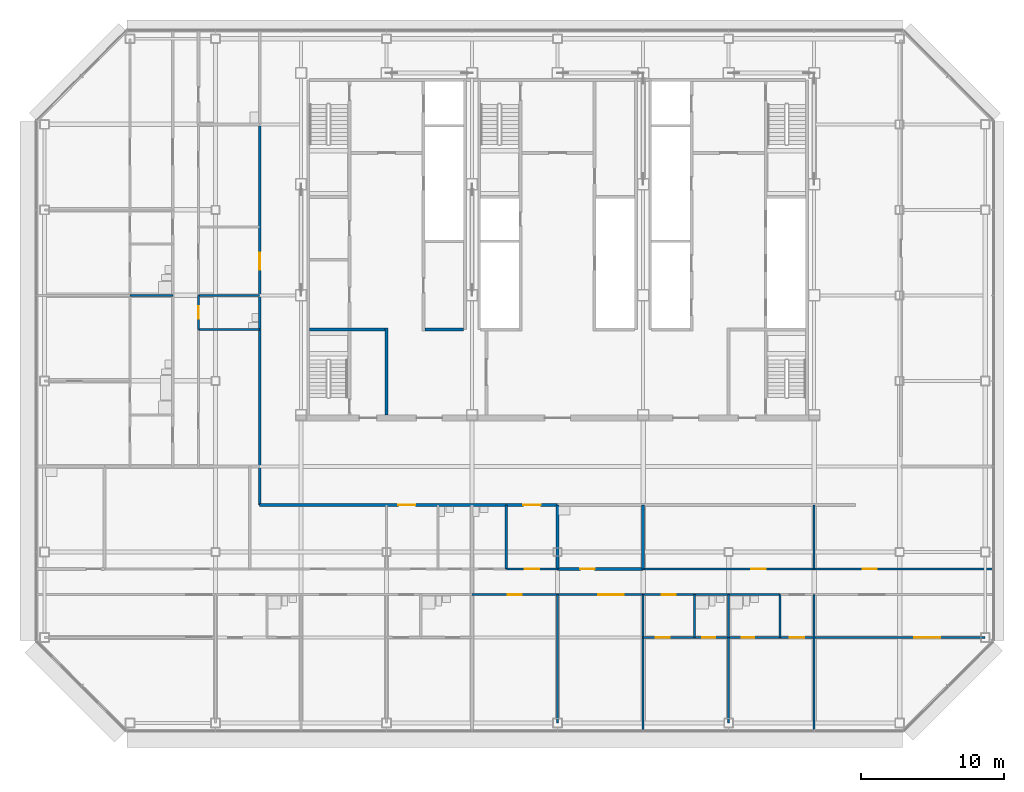
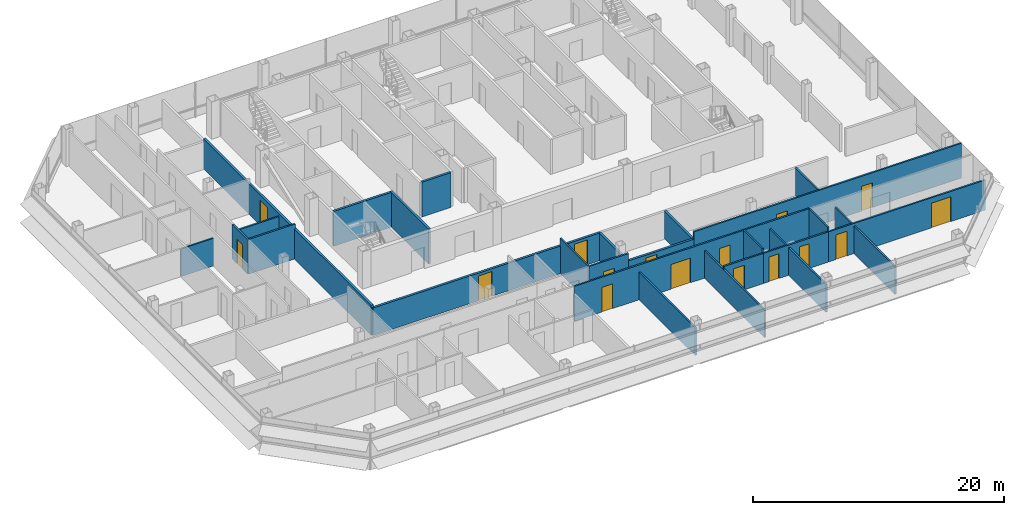
# One storey, part 21 of 27: 28 walls, 16 doors, 16 openings.
"""IFC4 building model written with IfcOpenShell, lengths in metres."""

from ifc_helpers import new_model, si_unit, direction, frame, frame_2d, origin, place, context, subcontext, project, spatial, rectangle, extrude, material, layer, layer_set, type_object, element, fill, save


model = new_model("IFC4")

# Units and contexts
model_context = context("Model", 3, precision=1e-05, world=origin(), true_north=direction((0.0, 1.0)))
body_context = subcontext(model_context, "Body", "Model", "MODEL_VIEW")
ifc_project = project(units=[si_unit("LENGTHUNIT", "METRE"), si_unit("AREAUNIT", "SQUARE_METRE"), si_unit("VOLUMEUNIT", "CUBIC_METRE"), si_unit("PLANEANGLEUNIT", "RADIAN"), si_unit("MASSUNIT", "GRAM", prefix="KILO")], contexts=[model_context])

# Site, building, storey
site_placement = place(None, origin())
site = spatial("IfcSite", under=ifc_project, at=site_placement, CompositionType="ELEMENT")
building_placement = place(site_placement, origin())
building = spatial("IfcBuilding", under=site, at=building_placement, Name="Sorahane Residences", CompositionType="ELEMENT")
storey_placement = place(building_placement, frame((0.0, 0.0, 206.39990234375)))
storey = spatial("IfcBuildingStorey", under=building, at=storey_placement, Name="L48", CompositionType="ELEMENT", Elevation=206.39990234375)

# Wall, opening, door
ifc_material_1 = material(Name="Concrete blockwork C20 wall", Category="masonry")
ifc_layer_1 = layer(ifc_material_1, 0.199951171875)
ifc_layer_set_1 = layer_set([ifc_layer_1], Name="Corridor wall 200 EI 120")
wall_type_1 = type_object("IfcWallType", Name="Corridor wall 200 EI 120", PredefinedType="SOLIDWALL", material=ifc_layer_set_1)
wall_1_placement = place(storey_placement, frame((3.10009765625, 15.300048828125, 0.0), z_axis=(0.0, 0.0, 1.0), x_axis=(0.0, 1.0, 0.0)))
wall_1 = element("IfcWall", 1, at=wall_1_placement, inside=storey, type_object=wall_type_1, Name="L48 corridor wall", PredefinedType="SOLIDWALL", context=body_context, shape_type="SweptSolid", body=[
    extrude(rectangle(XDim=26.699951171875, YDim=0.199951171875, at=frame_2d((13.35009765625, 0.0))), origin(), (0.0, 0.0, 1.0), 2.93017578125),
])
opening_1_placement = place(wall_1_placement, frame((16.5, 0.0, 0.0)))
opening_1 = element("IfcOpeningElement", 2, at=opening_1_placement, cuts=wall_1, Name="Opening L48-46", PredefinedType="OPENING", context=body_context, shape_type="SweptSolid", body=[
    extrude(rectangle(XDim=1.199951171875, YDim=2.39990234375, at=frame_2d((0.60009765625, 1.199951171875))), frame((0.0, 0.10986328125, 0.0), z_axis=(0.0, -1.0, 0.0), x_axis=(1.0, 0.0, 0.0)), (0.0, 0.0, 1.0), 0.219970703125),
])
ifc_material_2 = material(Name="Timber veneered fire door", Category="wood")
door_type_1 = type_object("IfcDoorType", Name="Flat entrance door 1200x2400 FD60", OperationType="NOTDEFINED", PredefinedType="DOOR", material=ifc_material_2)
door_1_placement = place(opening_1_placement, origin())
door_1 = element("IfcDoor", 3, at=door_1_placement, inside=storey, type_object=door_type_1, Name="Flat entrance door L48-46", OperationType="SINGLE_SWING_LEFT", OverallHeight=2.39990234375, OverallWidth=1.199951171875, PredefinedType="DOOR", context=body_context, shape_type="SweptSolid", body=[
    extrude(rectangle(XDim=1.199951171875, YDim=2.39990234375, at=frame_2d((0.60009765625, 1.199951171875))), frame((0.0, 0.02490234375, 0.0), z_axis=(0.0, -1.0, 0.0), x_axis=(1.0, 0.0, 0.0)), (0.0, 0.0, 1.0), 0.050048828125),
])
fill(opening_1, door_1)

# Wall, openings, doors
wall_2_placement = place(storey_placement, frame((3.10009765625, 15.300048828125, 0.0), z_axis=(0.0, 0.0, 1.0), x_axis=(1.0, 0.0, 0.0)))
wall_2 = element("IfcWall", 4, at=wall_2_placement, inside=storey, type_object=wall_type_1, Name="L48 corridor wall", PredefinedType="SOLIDWALL", context=body_context, shape_type="SweptSolid", body=[
    extrude(rectangle(XDim=20.89990234375, YDim=0.199951171875, at=frame_2d((10.449951171875, 0.0))), origin(), (0.0, 0.0, 1.0), 2.68017578125),
])
opening_2_placement = place(wall_2_placement, frame((9.719970703125, 0.0, 0.0)))
opening_2 = element("IfcOpeningElement", 5, at=opening_2_placement, cuts=wall_2, Name="Opening L48-44", PredefinedType="OPENING", context=body_context, shape_type="SweptSolid", body=[
    extrude(rectangle(XDim=1.199951171875, YDim=2.39990234375, at=frame_2d((0.60009765625, 1.199951171875))), frame((0.0, 0.10986328125, 0.0), z_axis=(0.0, -1.0, 0.0), x_axis=(1.0, 0.0, 0.0)), (0.0, 0.0, 1.0), 0.219970703125),
])
opening_3_placement = place(wall_2_placement, frame((18.5, 0.0, 0.0)))
opening_3 = element("IfcOpeningElement", 6, at=opening_3_placement, cuts=wall_2, Name="Opening L48-45", PredefinedType="OPENING", context=body_context, shape_type="SweptSolid", body=[
    extrude(rectangle(XDim=1.199951171875, YDim=2.39990234375, at=frame_2d((0.60009765625, 1.199951171875))), frame((0.0, 0.10986328125, 0.0), z_axis=(0.0, -1.0, 0.0), x_axis=(1.0, 0.0, 0.0)), (0.0, 0.0, 1.0), 0.219970703125),
])
door_2_placement = place(opening_2_placement, frame((1.199951171875, 0.0, 0.0), z_axis=(0.0, 0.0, 1.0), x_axis=(-1.0, 0.0, 0.0)))
door_2 = element("IfcDoor", 7, at=door_2_placement, inside=storey, type_object=door_type_1, Name="Flat entrance door L48-44", OperationType="SINGLE_SWING_RIGHT", OverallHeight=2.39990234375, OverallWidth=1.199951171875, PredefinedType="DOOR", context=body_context, shape_type="SweptSolid", body=[
    extrude(rectangle(XDim=1.199951171875, YDim=2.39990234375, at=frame_2d((0.60009765625, 1.199951171875))), frame((0.0, 0.02490234375, 0.0), z_axis=(0.0, -1.0, 0.0), x_axis=(1.0, 0.0, 0.0)), (0.0, 0.0, 1.0), 0.050048828125),
])
fill(opening_2, door_2)
door_3_placement = place(opening_3_placement, frame((1.199951171875, 0.0, 0.0), z_axis=(0.0, 0.0, 1.0), x_axis=(-1.0, 0.0, 0.0)))
door_3 = element("IfcDoor", 8, at=door_3_placement, inside=storey, type_object=door_type_1, Name="Flat entrance door L48-45", OperationType="SINGLE_SWING_RIGHT", OverallHeight=2.39990234375, OverallWidth=1.199951171875, PredefinedType="DOOR", context=body_context, shape_type="SweptSolid", body=[
    extrude(rectangle(XDim=1.199951171875, YDim=2.39990234375, at=frame_2d((0.60009765625, 1.199951171875))), frame((0.0, 0.02490234375, 0.0), z_axis=(0.0, -1.0, 0.0), x_axis=(1.0, 0.0, 0.0)), (0.0, 0.0, 1.0), 0.050048828125),
])
fill(opening_3, door_3)

# Walls
ifc_material_3 = material(Name="Concrete C30", Category="concrete")
ifc_layer_2 = layer(ifc_material_3, 0.199951171875)
ifc_layer_set_2 = layer_set([ifc_layer_2], Name="Front room wall 200 EI 120")
wall_type_2 = type_object("IfcWallType", Name="Front room wall 200 EI 120", PredefinedType="PARTITIONING", material=ifc_layer_set_2)
wall_3_placement = place(storey_placement, frame((12.0, 21.60009765625, 0.0), z_axis=(0.0, 0.0, 1.0), x_axis=(0.0, 1.0, 0.0)))
element("IfcWall", 9, at=wall_3_placement, inside=storey, type_object=wall_type_2, Name="L48 front room wall", PredefinedType="PARTITIONING", context=body_context, shape_type="SweptSolid", body=[
    extrude(rectangle(XDim=6.099853515625, YDim=0.199951171875, at=frame_2d((3.0498046875, 0.0))), origin(), (0.0, 0.0, 1.0), 3.380126953125),
])
ifc_material_4 = material(Name="Concrete blockwork C20 wall", Category="masonry")
ifc_layer_3 = layer(ifc_material_4, 0.199951171875)
ifc_layer_set_3 = layer_set([ifc_layer_3], Name="Kitchen wall 200 EI 180")
wall_type_3 = type_object("IfcWallType", Name="Kitchen wall 200 EI 180", PredefinedType="SOLIDWALL", material=ifc_layer_set_3)
for number, where, z_axis, x_axis, name in (
    (10, (24.0, 10.800048828125, 0.0), (0.0, 0.0, 1.0), (0.0, 1.0, 0.0), "L48 kitchen wall"),
    (11, (30.0, 10.800048828125, 0.0), (0.0, 0.0, 1.0), (0.0, 1.0, 0.0), "L48 kitchen wall"),
):
    element("IfcWall", number, at=place(storey_placement, frame(where, z_axis=z_axis, x_axis=x_axis)), inside=storey, type_object=wall_type_3, Name=name, PredefinedType="SOLIDWALL", context=body_context, shape_type="SweptSolid", body=[
        extrude(rectangle(XDim=4.5, YDim=0.199951171875, at=frame_2d((2.25, 0.0))), origin(), (0.0, 0.0, 1.0), 2.68017578125),
    ])

# Wall, opening, door
wall_4_placement = place(storey_placement, frame((24.0, 10.800048828125, 0.0), z_axis=(0.0, 0.0, 1.0), x_axis=(1.0, 0.0, 0.0)))
wall_4 = element("IfcWall", 12, at=wall_4_placement, inside=storey, type_object=wall_type_3, Name="L48 kitchen wall", PredefinedType="SOLIDWALL", context=body_context, shape_type="SweptSolid", body=[
    extrude(rectangle(XDim=6.0, YDim=0.199951171875, at=frame_2d((3.0, 0.0))), origin(), (0.0, 0.0, 1.0), 2.68017578125),
])
opening_4_placement = place(wall_4_placement, frame((1.60009765625, 0.0, 0.0)))
opening_4 = element("IfcOpeningElement", 13, at=opening_4_placement, cuts=wall_4, Name="Opening L48-17", PredefinedType="OPENING", context=body_context, shape_type="SweptSolid", body=[
    extrude(rectangle(XDim=1.0, YDim=2.39990234375, at=frame_2d((0.5, 1.199951171875))), frame((0.0, 0.10986328125, 0.0), z_axis=(0.0, -1.0, 0.0), x_axis=(1.0, 0.0, 0.0)), (0.0, 0.0, 1.0), 0.219970703125),
])
ifc_material_5 = material(Name="Steel", Category="steel")
door_type_2 = type_object("IfcDoorType", Name="Kitchen door 1000x2400 FD120", OperationType="NOTDEFINED", PredefinedType="DOOR", material=ifc_material_5)
door_4_placement = place(opening_4_placement, origin())
door_4 = element("IfcDoor", 14, at=door_4_placement, inside=storey, type_object=door_type_2, Name="Kitchen door L48-17", OperationType="SINGLE_SWING_RIGHT", OverallHeight=2.39990234375, OverallWidth=1.0, PredefinedType="DOOR", context=body_context, shape_type="SweptSolid", body=[
    extrude(rectangle(XDim=1.0, YDim=2.39990234375, at=frame_2d((0.5, 1.199951171875))), frame((0.0, 0.02490234375, 0.0), z_axis=(0.0, -1.0, 0.0), x_axis=(1.0, 0.0, 0.0)), (0.0, 0.0, 1.0), 0.050048828125),
])
fill(opening_4, door_4)

# Walls
ifc_material_6 = material(Name="Gypsum board partition on steel studs", Category="steel")
ifc_layer_4 = layer(ifc_material_6, 0.14990234375)
ifc_layer_set_4 = layer_set([ifc_layer_4], Name="Partition 150 EI 90")
wall_type_4 = type_object("IfcWallType", Name="Partition 150 EI 90", PredefinedType="PARTITIONING", material=ifc_layer_set_4)
wall_5_placement = place(storey_placement, frame((24.0, 0.0, 0.0), z_axis=(0.0, 0.0, 1.0), x_axis=(0.0, 1.0, 0.0)))
element("IfcWall", 15, at=wall_5_placement, inside=storey, type_object=wall_type_4, Name="L48 partition", PredefinedType="PARTITIONING", context=body_context, shape_type="SweptSolid", body=[
    extrude(rectangle(XDim=9.0, YDim=0.14990234375, at=frame_2d((4.5, 0.0))), origin(), (0.0, 0.0, 1.0), 2.68017578125),
])
wall_6_placement = place(storey_placement, frame((30.0, -0.60009765625, 0.0), z_axis=(0.0, 0.0, 1.0), x_axis=(0.0, 1.0, 0.0)))
element("IfcWall", 16, at=wall_6_placement, inside=storey, type_object=wall_type_4, Name="L48 partition", PredefinedType="PARTITIONING", context=body_context, shape_type="SweptSolid", body=[
    extrude(rectangle(XDim=9.60009765625, YDim=0.14990234375, at=frame_2d((4.800048828125, 0.0))), origin(), (0.0, 0.0, 1.0), 2.68017578125),
])
wall_7_placement = place(storey_placement, frame((36.0, 0.0, 0.0), z_axis=(0.0, 0.0, 1.0), x_axis=(0.0, 1.0, 0.0)))
element("IfcWall", 17, at=wall_7_placement, inside=storey, type_object=wall_type_4, Name="L48 partition", PredefinedType="PARTITIONING", context=body_context, shape_type="SweptSolid", body=[
    extrude(rectangle(XDim=6.0, YDim=0.14990234375, at=frame_2d((3.0, 0.0))), origin(), (0.0, 0.0, 1.0), 2.68017578125),
])
wall_8_placement = place(storey_placement, frame((42.0, -0.60009765625, 0.0), z_axis=(0.0, 0.0, 1.0), x_axis=(0.0, 1.0, 0.0)))
element("IfcWall", 18, at=wall_8_placement, inside=storey, type_object=wall_type_4, Name="L48 partition", PredefinedType="PARTITIONING", context=body_context, shape_type="SweptSolid", body=[
    extrude(rectangle(XDim=9.60009765625, YDim=0.14990234375, at=frame_2d((4.800048828125, 0.0))), origin(), (0.0, 0.0, 1.0), 2.68017578125),
])
wall_9_placement = place(storey_placement, frame((42.0, 10.800048828125, 0.0), z_axis=(0.0, 0.0, 1.0), x_axis=(0.0, 1.0, 0.0)))
element("IfcWall", 19, at=wall_9_placement, inside=storey, type_object=wall_type_4, Name="L48 partition", PredefinedType="PARTITIONING", context=body_context, shape_type="SweptSolid", body=[
    extrude(rectangle(XDim=4.5, YDim=0.14990234375, at=frame_2d((2.25, 0.0))), origin(), (0.0, 0.0, 1.0), 2.68017578125),
])

# Wall, opening, door
wall_10_placement = place(storey_placement, frame((20.39990234375, 10.800048828125, 0.0), z_axis=(0.0, 0.0, 1.0), x_axis=(1.0, 0.0, 0.0)))
wall_10 = element("IfcWall", 20, at=wall_10_placement, inside=storey, type_object=wall_type_4, Name="L48 partition", PredefinedType="PARTITIONING", context=body_context, shape_type="SweptSolid", body=[
    extrude(rectangle(XDim=3.60009765625, YDim=0.14990234375, at=frame_2d((1.800048828125, 0.0))), origin(), (0.0, 0.0, 1.0), 3.380126953125),
])
opening_5_placement = place(wall_10_placement, frame((1.300048828125, 0.0, 0.0)))
opening_5 = element("IfcOpeningElement", 21, at=opening_5_placement, cuts=wall_10, Name="Opening L48-15", PredefinedType="OPENING", context=body_context, shape_type="SweptSolid", body=[
    extrude(rectangle(XDim=1.0, YDim=2.39990234375, at=frame_2d((0.5, 1.199951171875))), frame((0.0, 0.0849609375, 0.0), z_axis=(0.0, -1.0, 0.0), x_axis=(1.0, 0.0, 0.0)), (0.0, 0.0, 1.0), 0.169921875),
])
ifc_material_7 = material(Name="Timber veneered fire door", Category="wood")
door_type_3 = type_object("IfcDoorType", Name="Room door 1000x2400 FD30", OperationType="NOTDEFINED", PredefinedType="DOOR", material=ifc_material_7)
door_5_placement = place(opening_5_placement, frame((1.0, 0.0, 0.0), z_axis=(0.0, 0.0, 1.0), x_axis=(-1.0, 0.0, 0.0)))
door_5 = element("IfcDoor", 22, at=door_5_placement, inside=storey, type_object=door_type_3, Name="Room door L48-15", OperationType="SINGLE_SWING_LEFT", OverallHeight=2.39990234375, OverallWidth=1.0, PredefinedType="DOOR", context=body_context, shape_type="SweptSolid", body=[
    extrude(rectangle(XDim=1.0, YDim=2.39990234375, at=frame_2d((0.5, 1.199951171875))), frame((0.0, 0.02490234375, 0.0), z_axis=(0.0, -1.0, 0.0), x_axis=(1.0, 0.0, 0.0)), (0.0, 0.0, 1.0), 0.050048828125),
])
fill(opening_5, door_5)

# Wall, openings, doors
wall_11_placement = place(storey_placement, frame((30.0, 10.800048828125, 0.0), z_axis=(0.0, 0.0, 1.0), x_axis=(1.0, 0.0, 0.0)))
wall_11 = element("IfcWall", 23, at=wall_11_placement, inside=storey, type_object=wall_type_4, Name="L48 partition", PredefinedType="PARTITIONING", context=body_context, shape_type="SweptSolid", body=[
    extrude(rectangle(XDim=24.60009765625, YDim=0.14990234375, at=frame_2d((12.300048828125, 0.0))), origin(), (0.0, 0.0, 1.0), 3.380126953125),
])
opening_6_placement = place(wall_11_placement, frame((7.60009765625, 0.0, 0.0)))
opening_6 = element("IfcOpeningElement", 24, at=opening_6_placement, cuts=wall_11, Name="Opening L48-18", PredefinedType="OPENING", context=body_context, shape_type="SweptSolid", body=[
    extrude(rectangle(XDim=1.0, YDim=2.39990234375, at=frame_2d((0.5, 1.199951171875))), frame((0.0, 0.0849609375, 0.0), z_axis=(0.0, -1.0, 0.0), x_axis=(1.0, 0.0, 0.0)), (0.0, 0.0, 1.0), 0.169921875),
])
opening_7_placement = place(wall_11_placement, frame((15.39990234375, 0.0, 0.0)))
opening_7 = element("IfcOpeningElement", 25, at=opening_7_placement, cuts=wall_11, Name="Opening L48-19", PredefinedType="OPENING", context=body_context, shape_type="SweptSolid", body=[
    extrude(rectangle(XDim=1.0, YDim=2.39990234375, at=frame_2d((0.5, 1.199951171875))), frame((0.0, 0.0849609375, 0.0), z_axis=(0.0, -1.0, 0.0), x_axis=(1.0, 0.0, 0.0)), (0.0, 0.0, 1.0), 0.169921875),
])
door_6_placement = place(opening_6_placement, origin())
door_6 = element("IfcDoor", 26, at=door_6_placement, inside=storey, type_object=door_type_3, Name="Room door L48-18", OperationType="SINGLE_SWING_RIGHT", OverallHeight=2.39990234375, OverallWidth=1.0, PredefinedType="DOOR", context=body_context, shape_type="SweptSolid", body=[
    extrude(rectangle(XDim=1.0, YDim=2.39990234375, at=frame_2d((0.5, 1.199951171875))), frame((0.0, 0.02490234375, 0.0), z_axis=(0.0, -1.0, 0.0), x_axis=(1.0, 0.0, 0.0)), (0.0, 0.0, 1.0), 0.050048828125),
])
fill(opening_6, door_6)
door_7_placement = place(opening_7_placement, origin())
door_7 = element("IfcDoor", 27, at=door_7_placement, inside=storey, type_object=door_type_3, Name="Room door L48-19", OperationType="SINGLE_SWING_LEFT", OverallHeight=2.39990234375, OverallWidth=1.0, PredefinedType="DOOR", context=body_context, shape_type="SweptSolid", body=[
    extrude(rectangle(XDim=1.0, YDim=2.39990234375, at=frame_2d((0.5, 1.199951171875))), frame((0.0, 0.02490234375, 0.0), z_axis=(0.0, -1.0, 0.0), x_axis=(1.0, 0.0, 0.0)), (0.0, 0.0, 1.0), 0.050048828125),
])
fill(opening_7, door_7)

# Wall, opening, door
wall_12_placement = place(storey_placement, frame((30.0, 6.0, 0.0), z_axis=(0.0, 0.0, 1.0), x_axis=(1.0, 0.0, 0.0)))
wall_12 = element("IfcWall", 28, at=wall_12_placement, inside=storey, type_object=wall_type_4, Name="L48 partition", PredefinedType="PARTITIONING", context=body_context, shape_type="SweptSolid", body=[
    extrude(rectangle(XDim=3.60009765625, YDim=0.14990234375, at=frame_2d((1.800048828125, 0.0))), origin(), (0.0, 0.0, 1.0), 2.93017578125),
])
opening_8_placement = place(wall_12_placement, frame((0.8798828125, 0.0, 0.0)))
opening_8 = element("IfcOpeningElement", 29, at=opening_8_placement, cuts=wall_12, Name="Opening L48-25", PredefinedType="OPENING", context=body_context, shape_type="SweptSolid", body=[
    extrude(rectangle(XDim=1.0, YDim=2.39990234375, at=frame_2d((0.5, 1.199951171875))), frame((0.0, 0.0849609375, 0.0), z_axis=(0.0, -1.0, 0.0), x_axis=(1.0, 0.0, 0.0)), (0.0, 0.0, 1.0), 0.169921875),
])
door_8_placement = place(opening_8_placement, frame((1.0, 0.0, 0.0), z_axis=(0.0, 0.0, 1.0), x_axis=(-1.0, 0.0, 0.0)))
door_8 = element("IfcDoor", 30, at=door_8_placement, inside=storey, type_object=door_type_3, Name="Room door L48-25", OperationType="SINGLE_SWING_LEFT", OverallHeight=2.39990234375, OverallWidth=1.0, PredefinedType="DOOR", context=body_context, shape_type="SweptSolid", body=[
    extrude(rectangle(XDim=1.0, YDim=2.39990234375, at=frame_2d((0.5, 1.199951171875))), frame((0.0, 0.02490234375, 0.0), z_axis=(0.0, -1.0, 0.0), x_axis=(1.0, 0.0, 0.0)), (0.0, 0.0, 1.0), 0.050048828125),
])
fill(opening_8, door_8)

# Wall, openings, doors
wall_13_placement = place(storey_placement, frame((39.60009765625, 6.0, 0.0), z_axis=(0.0, 0.0, 1.0), x_axis=(1.0, 0.0, 0.0)))
wall_13 = element("IfcWall", 31, at=wall_13_placement, inside=storey, type_object=wall_type_4, Name="L48 partition", PredefinedType="PARTITIONING", context=body_context, shape_type="SweptSolid", body=[
    extrude(rectangle(XDim=14.39990234375, YDim=0.14990234375, at=frame_2d((7.199951171875, 0.0))), origin(), (0.0, 0.0, 1.0), 2.93017578125),
])
opening_9_placement = place(wall_13_placement, frame((0.699951171875, 0.0, 0.0)))
opening_9 = element("IfcOpeningElement", 32, at=opening_9_placement, cuts=wall_13, Name="Opening L48-27", PredefinedType="OPENING", context=body_context, shape_type="SweptSolid", body=[
    extrude(rectangle(XDim=1.0, YDim=2.39990234375, at=frame_2d((0.5, 1.199951171875))), frame((0.0, 0.0849609375, 0.0), z_axis=(0.0, -1.0, 0.0), x_axis=(1.0, 0.0, 0.0)), (0.0, 0.0, 1.0), 0.169921875),
])
opening_10_placement = place(wall_13_placement, frame((9.43994140625, 0.0, 0.0)))
opening_10 = element("IfcOpeningElement", 33, at=opening_10_placement, cuts=wall_13, Name="Opening L48-29", PredefinedType="OPENING", context=body_context, shape_type="SweptSolid", body=[
    extrude(rectangle(XDim=1.800048828125, YDim=2.39990234375, at=frame_2d((0.89990234375, 1.199951171875))), frame((0.0, 0.0849609375, 0.0), z_axis=(0.0, -1.0, 0.0), x_axis=(1.0, 0.0, 0.0)), (0.0, 0.0, 1.0), 0.169921875),
])
ifc_material_8 = material(Name="Timber veneered fire door", Category="wood")
door_type_4 = type_object("IfcDoorType", Name="Double door 1800x2400 FD30", OperationType="NOTDEFINED", PredefinedType="DOOR", material=ifc_material_8)
door_9_placement = place(opening_10_placement, frame((1.800048828125, 0.0, 0.0), z_axis=(0.0, 0.0, 1.0), x_axis=(-1.0, 0.0, 0.0)))
door_9 = element("IfcDoor", 34, at=door_9_placement, inside=storey, type_object=door_type_4, Name="Double door L48-29", OperationType="SINGLE_SWING_LEFT", OverallHeight=2.39990234375, OverallWidth=1.800048828125, PredefinedType="DOOR", context=body_context, shape_type="SweptSolid", body=[
    extrude(rectangle(XDim=1.800048828125, YDim=2.39990234375, at=frame_2d((0.89990234375, 1.199951171875))), frame((0.0, 0.02490234375, 0.0), z_axis=(0.0, -1.0, 0.0), x_axis=(1.0, 0.0, 0.0)), (0.0, 0.0, 1.0), 0.050048828125),
])
fill(opening_10, door_9)
door_10_placement = place(opening_9_placement, frame((1.0, 0.0, 0.0), z_axis=(0.0, 0.0, 1.0), x_axis=(-1.0, 0.0, 0.0)))
door_10 = element("IfcDoor", 35, at=door_10_placement, inside=storey, type_object=door_type_3, Name="Room door L48-27", OperationType="SINGLE_SWING_RIGHT", OverallHeight=2.39990234375, OverallWidth=1.0, PredefinedType="DOOR", context=body_context, shape_type="SweptSolid", body=[
    extrude(rectangle(XDim=1.0, YDim=2.39990234375, at=frame_2d((0.5, 1.199951171875))), frame((0.0, 0.02490234375, 0.0), z_axis=(0.0, -1.0, 0.0), x_axis=(1.0, 0.0, 0.0)), (0.0, 0.0, 1.0), 0.050048828125),
])
fill(opening_9, door_10)

wall_14_placement = place(storey_placement, frame((18.0, 9.0, 0.0), z_axis=(0.0, 0.0, 1.0), x_axis=(1.0, 0.0, 0.0)))
wall_14 = element("IfcWall", 36, at=wall_14_placement, inside=storey, type_object=wall_type_4, Name="L48 partition", PredefinedType="PARTITIONING", context=body_context, shape_type="SweptSolid", body=[
    extrude(rectangle(XDim=15.60009765625, YDim=0.14990234375, at=frame_2d((7.800048828125, 0.0))), origin(), (0.0, 0.0, 1.0), 3.380126953125),
])
opening_11_placement = place(wall_14_placement, frame((2.5, 0.0, 0.0)))
opening_11 = element("IfcOpeningElement", 37, at=opening_11_placement, cuts=wall_14, Name="Opening L48-20", PredefinedType="OPENING", context=body_context, shape_type="SweptSolid", body=[
    extrude(rectangle(XDim=1.0, YDim=2.39990234375, at=frame_2d((0.5, 1.199951171875))), frame((0.0, 0.0849609375, 0.0), z_axis=(0.0, -1.0, 0.0), x_axis=(1.0, 0.0, 0.0)), (0.0, 0.0, 1.0), 0.169921875),
])
opening_12_placement = place(wall_14_placement, frame((8.840087890625, 0.0, 0.0)))
opening_12 = element("IfcOpeningElement", 38, at=opening_12_placement, cuts=wall_14, Name="Opening L48-21", PredefinedType="OPENING", context=body_context, shape_type="SweptSolid", body=[
    extrude(rectangle(XDim=1.800048828125, YDim=2.39990234375, at=frame_2d((0.89990234375, 1.199951171875))), frame((0.0, 0.0849609375, 0.0), z_axis=(0.0, -1.0, 0.0), x_axis=(1.0, 0.0, 0.0)), (0.0, 0.0, 1.0), 0.169921875),
])
opening_13_placement = place(wall_14_placement, frame((13.300048828125, 0.0, 0.0)))
opening_13 = element("IfcOpeningElement", 39, at=opening_13_placement, cuts=wall_14, Name="Opening L48-22", PredefinedType="OPENING", context=body_context, shape_type="SweptSolid", body=[
    extrude(rectangle(XDim=1.0, YDim=2.39990234375, at=frame_2d((0.5, 1.199951171875))), frame((0.0, 0.0849609375, 0.0), z_axis=(0.0, -1.0, 0.0), x_axis=(1.0, 0.0, 0.0)), (0.0, 0.0, 1.0), 0.169921875),
])
door_11_placement = place(opening_12_placement, frame((1.800048828125, 0.0, 0.0), z_axis=(0.0, 0.0, 1.0), x_axis=(-1.0, 0.0, 0.0)))
door_11 = element("IfcDoor", 40, at=door_11_placement, inside=storey, type_object=door_type_4, Name="Double door L48-21", OperationType="SINGLE_SWING_RIGHT", OverallHeight=2.39990234375, OverallWidth=1.800048828125, PredefinedType="DOOR", context=body_context, shape_type="SweptSolid", body=[
    extrude(rectangle(XDim=1.800048828125, YDim=2.39990234375, at=frame_2d((0.89990234375, 1.199951171875))), frame((0.0, 0.02490234375, 0.0), z_axis=(0.0, -1.0, 0.0), x_axis=(1.0, 0.0, 0.0)), (0.0, 0.0, 1.0), 0.050048828125),
])
fill(opening_12, door_11)
door_12_placement = place(opening_11_placement, frame((1.0, 0.0, 0.0), z_axis=(0.0, 0.0, 1.0), x_axis=(-1.0, 0.0, 0.0)))
door_12 = element("IfcDoor", 41, at=door_12_placement, inside=storey, type_object=door_type_3, Name="Room door L48-20", OperationType="SINGLE_SWING_LEFT", OverallHeight=2.39990234375, OverallWidth=1.0, PredefinedType="DOOR", context=body_context, shape_type="SweptSolid", body=[
    extrude(rectangle(XDim=1.0, YDim=2.39990234375, at=frame_2d((0.5, 1.199951171875))), frame((0.0, 0.02490234375, 0.0), z_axis=(0.0, -1.0, 0.0), x_axis=(1.0, 0.0, 0.0)), (0.0, 0.0, 1.0), 0.050048828125),
])
fill(opening_11, door_12)
door_13_placement = place(opening_13_placement, frame((1.0, 0.0, 0.0), z_axis=(0.0, 0.0, 1.0), x_axis=(-1.0, 0.0, 0.0)))
door_13 = element("IfcDoor", 42, at=door_13_placement, inside=storey, type_object=door_type_3, Name="Room door L48-22", OperationType="SINGLE_SWING_RIGHT", OverallHeight=2.39990234375, OverallWidth=1.0, PredefinedType="DOOR", context=body_context, shape_type="SweptSolid", body=[
    extrude(rectangle(XDim=1.0, YDim=2.39990234375, at=frame_2d((0.5, 1.199951171875))), frame((0.0, 0.02490234375, 0.0), z_axis=(0.0, -1.0, 0.0), x_axis=(1.0, 0.0, 0.0)), (0.0, 0.0, 1.0), 0.050048828125),
])
fill(opening_13, door_13)

# Walls
ifc_material_9 = material(Name="Concrete C30", Category="concrete")
ifc_layer_5 = layer(ifc_material_9, 0.199951171875)
ifc_layer_set_5 = layer_set([ifc_layer_5], Name="Service room partition 200 EI 60")
wall_type_5 = type_object("IfcWallType", Name="Service room partition 200 EI 60", PredefinedType="PARTITIONING", material=ifc_layer_set_5)
wall_15_placement = place(storey_placement, frame((14.699951171875, 27.60009765625, 0.0), z_axis=(0.0, 0.0, 1.0), x_axis=(1.0, 0.0, 0.0)))
element("IfcWall", 43, at=wall_15_placement, inside=storey, type_object=wall_type_5, Name="L48 service room wall", PredefinedType="PARTITIONING", context=body_context, shape_type="SweptSolid", body=[
    extrude(rectangle(XDim=2.699951171875, YDim=0.199951171875, at=frame_2d((1.35009765625, 0.0))), origin(), (0.0, 0.0, 1.0), 3.380126953125),
])
ifc_material_10 = material(Name="Concrete C30", Category="concrete")
ifc_layer_6 = layer(ifc_material_10, 0.199951171875)
ifc_layer_set_6 = layer_set([ifc_layer_6], Name="Stair enclosure wall 200 EI 120")
wall_type_6 = type_object("IfcWallType", Name="Stair enclosure wall 200 EI 120", PredefinedType="SOLIDWALL", material=ifc_layer_set_6)
wall_16_placement = place(storey_placement, frame((6.60009765625, 27.60009765625, 0.0), z_axis=(0.0, 0.0, 1.0), x_axis=(1.0, 0.0, 0.0)))
element("IfcWall", 44, at=wall_16_placement, inside=storey, type_object=wall_type_6, Name="L48 stair enclosure wall", PredefinedType="SOLIDWALL", context=body_context, shape_type="SweptSolid", body=[
    extrude(rectangle(XDim=5.2998046875, YDim=0.199951171875, at=frame_2d((2.64990234375, 0.0))), origin(), (0.0, 0.0, 1.0), 3.380126953125),
])

# Wall, opening, door
ifc_material_11 = material(Name="Gypsum board partition on steel studs", Category="steel")
ifc_layer_7 = layer(ifc_material_11, 0.14990234375)
ifc_layer_set_7 = layer_set([ifc_layer_7], Name="Wet wall 150 EI 90")
wall_type_7 = type_object("IfcWallType", Name="Wet wall 150 EI 90", PredefinedType="PARTITIONING", material=ifc_layer_set_7)
wall_17_placement = place(storey_placement, frame((-1.199951171875, 27.60009765625, 0.0), z_axis=(0.0, 0.0, 1.0), x_axis=(0.0, 1.0, 0.0)))
wall_17 = element("IfcWall", 45, at=wall_17_placement, inside=storey, type_object=wall_type_7, Name="L48 wet wall", PredefinedType="PARTITIONING", context=body_context, shape_type="SweptSolid", body=[
    extrude(rectangle(XDim=2.39990234375, YDim=0.14990234375, at=frame_2d((1.199951171875, 0.0))), origin(), (0.0, 0.0, 1.0), 3.380126953125),
])
opening_14_placement = place(wall_17_placement, frame((0.75, 0.0, 0.0)))
opening_14 = element("IfcOpeningElement", 46, at=opening_14_placement, cuts=wall_17, Name="Opening L48-32", PredefinedType="OPENING", context=body_context, shape_type="SweptSolid", body=[
    extrude(rectangle(XDim=0.89990234375, YDim=2.39990234375, at=frame_2d((0.449951171875, 1.199951171875))), frame((0.0, 0.0849609375, 0.0), z_axis=(0.0, -1.0, 0.0), x_axis=(1.0, 0.0, 0.0)), (0.0, 0.0, 1.0), 0.169921875),
])
ifc_material_12 = material(Name="Timber veneered fire door", Category="wood")
door_type_5 = type_object("IfcDoorType", Name="Bathroom door 900x2400 FD30", OperationType="NOTDEFINED", PredefinedType="DOOR", material=ifc_material_12)
door_14_placement = place(opening_14_placement, origin())
door_14 = element("IfcDoor", 47, at=door_14_placement, inside=storey, type_object=door_type_5, Name="Bathroom door L48-32", OperationType="SINGLE_SWING_RIGHT", OverallHeight=2.39990234375, OverallWidth=0.89990234375, PredefinedType="DOOR", context=body_context, shape_type="SweptSolid", body=[
    extrude(rectangle(XDim=0.89990234375, YDim=2.39990234375, at=frame_2d((0.449951171875, 1.199951171875))), frame((0.0, 0.02490234375, 0.0), z_axis=(0.0, -1.0, 0.0), x_axis=(1.0, 0.0, 0.0)), (0.0, 0.0, 1.0), 0.050048828125),
])
fill(opening_14, door_14)

# Walls
wall_18_placement = place(storey_placement, frame((20.39990234375, 10.800048828125, 0.0), z_axis=(0.0, 0.0, 1.0), x_axis=(0.0, 1.0, 0.0)))
element("IfcWall", 48, at=wall_18_placement, inside=storey, type_object=wall_type_7, Name="L48 wet wall", PredefinedType="PARTITIONING", context=body_context, shape_type="SweptSolid", body=[
    extrude(rectangle(XDim=4.5, YDim=0.14990234375, at=frame_2d((2.25, 0.0))), origin(), (0.0, 0.0, 1.0), 3.380126953125),
])
wall_19_placement = place(storey_placement, frame((33.60009765625, 6.0, 0.0), z_axis=(0.0, 0.0, 1.0), x_axis=(0.0, 1.0, 0.0)))
element("IfcWall", 49, at=wall_19_placement, inside=storey, type_object=wall_type_7, Name="L48 wet wall", PredefinedType="PARTITIONING", context=body_context, shape_type="SweptSolid", body=[
    extrude(rectangle(XDim=3.0, YDim=0.14990234375, at=frame_2d((1.5, 0.0))), origin(), (0.0, 0.0, 1.0), 3.380126953125),
])
wall_20_placement = place(storey_placement, frame((36.0, 6.0, 0.0), z_axis=(0.0, 0.0, 1.0), x_axis=(0.0, 1.0, 0.0)))
element("IfcWall", 50, at=wall_20_placement, inside=storey, type_object=wall_type_7, Name="L48 wet wall", PredefinedType="PARTITIONING", context=body_context, shape_type="SweptSolid", body=[
    extrude(rectangle(XDim=3.0, YDim=0.14990234375, at=frame_2d((1.5, 0.0))), origin(), (0.0, 0.0, 1.0), 2.68017578125),
])
wall_21_placement = place(storey_placement, frame((39.60009765625, 6.0, 0.0), z_axis=(0.0, 0.0, 1.0), x_axis=(0.0, 1.0, 0.0)))
element("IfcWall", 51, at=wall_21_placement, inside=storey, type_object=wall_type_7, Name="L48 wet wall", PredefinedType="PARTITIONING", context=body_context, shape_type="SweptSolid", body=[
    extrude(rectangle(XDim=3.0, YDim=0.14990234375, at=frame_2d((1.5, 0.0))), origin(), (0.0, 0.0, 1.0), 3.380126953125),
])
wall_22_placement = place(storey_placement, frame((-1.199951171875, 27.60009765625, 0.0), z_axis=(0.0, 0.0, 1.0), x_axis=(1.0, 0.0, 0.0)))
element("IfcWall", 52, at=wall_22_placement, inside=storey, type_object=wall_type_7, Name="L48 wet wall", PredefinedType="PARTITIONING", context=body_context, shape_type="SweptSolid", body=[
    extrude(rectangle(XDim=4.300048828125, YDim=0.14990234375, at=frame_2d((2.14990234375, 0.0))), origin(), (0.0, 0.0, 1.0), 3.380126953125),
])
wall_23_placement = place(storey_placement, frame((-6.0, 30.0, 0.0), z_axis=(0.0, 0.0, 1.0), x_axis=(1.0, 0.0, 0.0)))
element("IfcWall", 53, at=wall_23_placement, inside=storey, type_object=wall_type_7, Name="L48 wet wall", PredefinedType="PARTITIONING", context=body_context, shape_type="SweptSolid", body=[
    extrude(rectangle(XDim=3.0, YDim=0.14990234375, at=frame_2d((1.5, 0.0))), origin(), (0.0, 0.0, 1.0), 2.68017578125),
])
wall_24_placement = place(storey_placement, frame((-1.199951171875, 30.0, 0.0), z_axis=(0.0, 0.0, 1.0), x_axis=(1.0, 0.0, 0.0)))
element("IfcWall", 54, at=wall_24_placement, inside=storey, type_object=wall_type_7, Name="L48 wet wall", PredefinedType="PARTITIONING", context=body_context, shape_type="SweptSolid", body=[
    extrude(rectangle(XDim=4.300048828125, YDim=0.14990234375, at=frame_2d((2.14990234375, 0.0))), origin(), (0.0, 0.0, 1.0), 2.68017578125),
])

# Wall, openings, doors
wall_25_placement = place(storey_placement, frame((33.60009765625, 6.0, 0.0), z_axis=(0.0, 0.0, 1.0), x_axis=(1.0, 0.0, 0.0)))
wall_25 = element("IfcWall", 55, at=wall_25_placement, inside=storey, type_object=wall_type_7, Name="L48 wet wall", PredefinedType="PARTITIONING", context=body_context, shape_type="SweptSolid", body=[
    extrude(rectangle(XDim=6.0, YDim=0.14990234375, at=frame_2d((3.0, 0.0))), origin(), (0.0, 0.0, 1.0), 2.93017578125),
])
opening_15_placement = place(wall_25_placement, frame((0.550048828125, 0.0, 0.0)))
opening_15 = element("IfcOpeningElement", 56, at=opening_15_placement, cuts=wall_25, Name="Opening L48-26", PredefinedType="OPENING", context=body_context, shape_type="SweptSolid", body=[
    extrude(rectangle(XDim=0.89990234375, YDim=2.39990234375, at=frame_2d((0.449951171875, 1.199951171875))), frame((0.0, 0.0849609375, 0.0), z_axis=(0.0, -1.0, 0.0), x_axis=(1.0, 0.0, 0.0)), (0.0, 0.0, 1.0), 0.169921875),
])
opening_16_placement = place(wall_25_placement, frame((3.31005859375, 0.0, 0.0)))
opening_16 = element("IfcOpeningElement", 57, at=opening_16_placement, cuts=wall_25, Name="Opening L48-28", PredefinedType="OPENING", context=body_context, shape_type="SweptSolid", body=[
    extrude(rectangle(XDim=0.89990234375, YDim=2.39990234375, at=frame_2d((0.449951171875, 1.199951171875))), frame((0.0, 0.0849609375, 0.0), z_axis=(0.0, -1.0, 0.0), x_axis=(1.0, 0.0, 0.0)), (0.0, 0.0, 1.0), 0.169921875),
])
door_15_placement = place(opening_15_placement, frame((0.89990234375, 0.0, 0.0), z_axis=(0.0, 0.0, 1.0), x_axis=(-1.0, 0.0, 0.0)))
door_15 = element("IfcDoor", 58, at=door_15_placement, inside=storey, type_object=door_type_5, Name="Bathroom door L48-26", OperationType="SINGLE_SWING_RIGHT", OverallHeight=2.39990234375, OverallWidth=0.89990234375, PredefinedType="DOOR", context=body_context, shape_type="SweptSolid", body=[
    extrude(rectangle(XDim=0.89990234375, YDim=2.39990234375, at=frame_2d((0.449951171875, 1.199951171875))), frame((0.0, 0.02490234375, 0.0), z_axis=(0.0, -1.0, 0.0), x_axis=(1.0, 0.0, 0.0)), (0.0, 0.0, 1.0), 0.050048828125),
])
fill(opening_15, door_15)
door_16_placement = place(opening_16_placement, frame((0.89990234375, 0.0, 0.0), z_axis=(0.0, 0.0, 1.0), x_axis=(-1.0, 0.0, 0.0)))
door_16 = element("IfcDoor", 59, at=door_16_placement, inside=storey, type_object=door_type_5, Name="Bathroom door L48-28", OperationType="SINGLE_SWING_RIGHT", OverallHeight=2.39990234375, OverallWidth=0.89990234375, PredefinedType="DOOR", context=body_context, shape_type="SweptSolid", body=[
    extrude(rectangle(XDim=0.89990234375, YDim=2.39990234375, at=frame_2d((0.449951171875, 1.199951171875))), frame((0.0, 0.02490234375, 0.0), z_axis=(0.0, -1.0, 0.0), x_axis=(1.0, 0.0, 0.0)), (0.0, 0.0, 1.0), 0.050048828125),
])
fill(opening_16, door_16)

# Wall
wall_26_placement = place(storey_placement, frame((33.60009765625, 9.0, 0.0), z_axis=(0.0, 0.0, 1.0), x_axis=(1.0, 0.0, 0.0)))
element("IfcWall", 60, at=wall_26_placement, inside=storey, type_object=wall_type_7, Name="L48 wet wall", PredefinedType="PARTITIONING", context=body_context, shape_type="SweptSolid", body=[
    extrude(rectangle(XDim=6.0, YDim=0.14990234375, at=frame_2d((3.0, 0.0))), origin(), (0.0, 0.0, 1.0), 3.380126953125),
])

save(model, "model.ifc")
